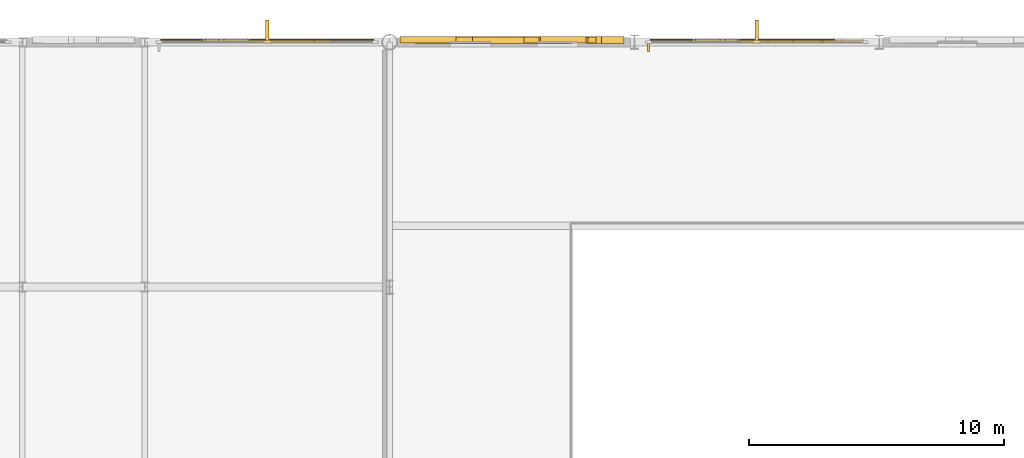
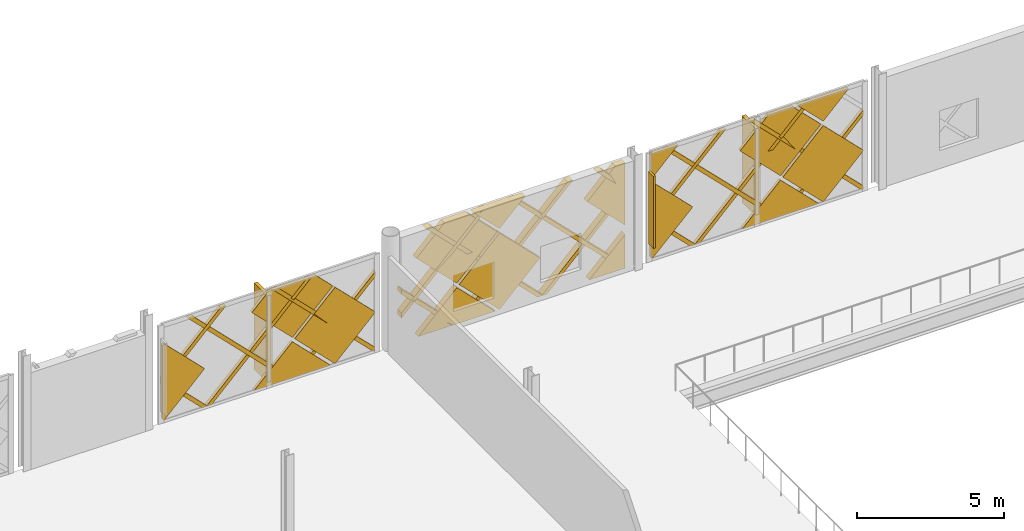
# One storey, part 69 of 77: 37 coverings, 1 shading device.
"""IFC4 building model written with IfcOpenShell, lengths in metres."""

from ifc_helpers import new_model, si_unit, direction, frame, origin, origin_2d, place, context, subcontext, project, spatial, polyline, rectangle, outline, extrude, material, layer, layer_set, type_object, element, save


model = new_model("IFC4")

# Units and contexts
model_context = context("Model", 3, precision=1e-05, world=origin(), true_north=direction((0.0, 1.0)))
body_context = subcontext(model_context, "Body", "Model", "MODEL_VIEW")
ifc_project = project(units=[si_unit("LENGTHUNIT", "METRE"), si_unit("AREAUNIT", "SQUARE_METRE"), si_unit("VOLUMEUNIT", "CUBIC_METRE"), si_unit("PLANEANGLEUNIT", "RADIAN"), si_unit("MASSUNIT", "GRAM", prefix="KILO")], contexts=[model_context])

# Site, building, storey
site_placement = place(None, origin())
site = spatial("IfcSite", under=ifc_project, at=site_placement, CompositionType="ELEMENT")
building_placement = place(site_placement, origin())
building = spatial("IfcBuilding", under=site, at=building_placement, Name="Zevrakil Square Congress Hotel", CompositionType="ELEMENT")
storey_placement = place(building_placement, frame((0.0, 0.0, 9.89990234375)))
storey = spatial("IfcBuildingStorey", under=building, at=storey_placement, Name="L03", CompositionType="ELEMENT", Elevation=9.89990234375)

# Coverings
ifc_material_1 = material(Name="Architectural White Fibre-C GRC", Category="concrete")
ifc_layer_1 = layer(ifc_material_1, 0.06494140625)
ifc_layer_set_1 = layer_set([ifc_layer_1], Name="Architectural White Fibre-C GRC")
covering_type_1 = type_object("IfcCoveringType", Name="COV-DIA-WHITE", PredefinedType="CLADDING", material=ifc_layer_set_1)
covering_1_placement = place(storey_placement, frame((113.719970703125, 112.89404296875, 1.590087890625), z_axis=(0.0, 0.999999790873, 0.000646725815), x_axis=(-0.707106707249, 0.000457304257, -0.707106707249)))
element("IfcCovering", 1, at=covering_1_placement, inside=storey, type_object=covering_type_1, Name="L03 45-degree white GRC diamond facade cassette 741", PredefinedType="CLADDING", context=body_context, shape_type="SweptSolid", body=[
    extrude(outline(polyline([(0.0, 0.0), (2.1354765131557993, 0.0), (4.465861884739297e-07, -2.1354765131557527), (0.0, 0.0)])), origin(), (0.0, 0.0, -1.0), 0.1201171875),
])
covering_2_placement = place(storey_placement, frame((115.39990234375, 112.89306640625, 3.27001953125), z_axis=(0.0, 0.999999812555, 0.000612281941), x_axis=(-0.707106714489, 0.000432948753, -0.707106715341)))
element("IfcCovering", 2, at=covering_2_placement, inside=storey, type_object=covering_type_1, Name="L03 45-degree white GRC diamond facade cassette 742", PredefinedType="CLADDING", context=body_context, shape_type="SweptSolid", body=[
    extrude(outline(polyline([(0.0, 0.0), (2.2483788053823686, 2.220446049250313e-16), (2.2485518630143098, -2.2485514388251864), (0.013983735657622232, -2.2485514362281265), (-0.00017220932723183147, -2.23439549391379), (0.0, 0.0)])), origin(), (0.0, 0.0, -1.0), 0.1201171875),
])
covering_3_placement = place(storey_placement, frame((108.679931640625, 112.89501953125, 0.090087890625), z_axis=(4.3911e-08, 0.999999810879, 0.000615014432), x_axis=(0.707106714509, -0.000434911966, 0.707106714116)))
element("IfcCovering", 3, at=covering_3_placement, inside=storey, type_object=covering_type_1, Name="L03 45-degree white GRC diamond facade cassette 743", PredefinedType="CLADDING", context=body_context, shape_type="SweptSolid", body=[
    extrude(outline(polyline([(0.0, 0.0), (2.2487240723345274, -2.220446049250313e-16), (2.248551862954323, -2.2485514388919943), (2.1639614601190895, -2.2485514548663854), (0.00017263345166069338, -0.0847630362800969), (0.0, 0.0)])), origin(), (0.0, 0.0, -1.0), 0.1201171875),
])
covering_4_placement = place(storey_placement, frame((112.1298828125, 112.89306640625, 3.360107421875), z_axis=(0.0, 0.999999833524, 0.000577020187), x_axis=(0.707106746075, 0.000408014907, -0.707106698581)))
element("IfcCovering", 4, at=covering_4_placement, inside=storey, type_object=covering_type_1, Name="L03 45-degree white GRC diamond facade cassette 744", PredefinedType="CLADDING", context=body_context, shape_type="SweptSolid", body=[
    extrude(outline(polyline([(0.0, 0.0), (2.2487239719466743, -2.220446049250313e-16), (2.248723748627534, -2.2487239719466636), (1.3365282562416159, -2.2487240499485552), (-1.6859136209301795e-07, -0.9121954923859064), (0.0, 0.0)])), origin(), (0.0, 0.0, -1.0), 0.1201171875),
])
covering_5_placement = place(storey_placement, frame((125.389892578125, 113.0, 0.080078125), z_axis=(0.0, 0.999999760125, 0.000692640526), x_axis=(1.0, 0.0, 0.0)))
element("IfcCovering", 5, at=covering_5_placement, inside=storey, type_object=covering_type_1, Name="L03 45-degree white GRC diamond facade cassette 764", PredefinedType="CLADDING", context=body_context, shape_type="SweptSolid", body=[
    extrude(outline(polyline([(0.0, 0.0), (1.41015625, 0.0), (1.41015625, -1.4099124475784226), (0.0, 0.0)])), origin(), (0.0, 0.0, -1.0), 0.239990234375),
])
covering_6_placement = place(storey_placement, frame((120.179931640625, 112.9990234375, 1.590087890625), z_axis=(0.0, 0.999999790873, 0.000646725815), x_axis=(-0.707106707249, 0.000457304257, -0.707106707249)))
element("IfcCovering", 6, at=covering_6_placement, inside=storey, type_object=covering_type_1, Name="L03 45-degree white GRC diamond facade cassette 765", PredefinedType="CLADDING", context=body_context, shape_type="SweptSolid", body=[
    extrude(outline(polyline([(0.0, 0.0), (2.1354765131557993, 0.0), (4.465861884739297e-07, -2.1354765131557527), (0.0, 0.0)])), origin(), (0.0, 0.0, -1.0), 0.239990234375),
])
covering_7_placement = place(storey_placement, frame((121.860107421875, 112.998046875, 3.27001953125), z_axis=(0.0, 0.999999811377, 0.000614203339), x_axis=(-0.707161000837, 0.000434274042, -0.707052424012)))
element("IfcCovering", 7, at=covering_7_placement, inside=storey, type_object=covering_type_1, Name="L03 45-degree white GRC diamond facade cassette 766", PredefinedType="CLADDING", context=body_context, shape_type="SweptSolid", body=[
    extrude(outline(polyline([(0.0, 0.0), (2.2485514454867683, 0.0), (2.2483792228863573, -2.248724065739994), (-0.0001721960923970478, -2.248378798790573), (0.0, 0.0)])), origin(), (0.0, 0.0, -1.0), 0.239990234375),
])
covering_8_placement = place(storey_placement, frame((125.31005859375, 112.998046875, 3.360107421875), z_axis=(6.6590382e-05, 0.999999832132, 0.000575587748), x_axis=(0.707106739346, 0.000359915524, -0.707106731429)))
element("IfcCovering", 8, at=covering_8_placement, inside=storey, type_object=covering_type_1, Name="L03 45-degree white GRC diamond facade cassette 767", PredefinedType="CLADDING", context=body_context, shape_type="SweptSolid", body=[
    extrude(outline(polyline([(0.0, 0.0), (2.1071645243864108, 4.440892098500626e-16), (0.2756954147132399, -1.8314688986077563), (-0.00017288838131890305, -1.5556005640896053), (0.0, 0.0)])), origin(), (0.0, 0.0, -1.0), 0.239990234375),
])
covering_9_placement = place(storey_placement, frame((118.590087890625, 112.998046875, 3.360107421875), z_axis=(0.0, 0.99999984427, 0.000558085713), x_axis=(0.707052454844, 0.000394656509, -0.707160993229)))
element("IfcCovering", 9, at=covering_9_placement, inside=storey, type_object=covering_type_1, Name="L03 45-degree white GRC diamond facade cassette 768", PredefinedType="CLADDING", context=body_context, shape_type="SweptSolid", body=[
    extrude(outline(polyline([(0.0, 0.0), (2.248551347367504, 0.0), (2.24837847274146, -2.2487239675782313), (0.692605284023527, -2.2486046114861047), (-0.00029231210577995714, -1.5556005419383874), (0.0, 0.0)])), origin(), (0.0, 0.0, -1.0), 0.239990234375),
])
covering_10_placement = place(storey_placement, frame((121.860107421875, 112.997802734375, 3.4501953125), z_axis=(0.0, 0.999999883142, 0.000483442051), x_axis=(0.707106739871, -0.000341845173, 0.707106739871)))
element("IfcCovering", 10, at=covering_10_placement, inside=storey, type_object=covering_type_1, Name="L03 45-degree white GRC diamond facade cassette 769", PredefinedType="CLADDING", context=body_context, shape_type="SweptSolid", body=[
    extrude(outline(polyline([(0.0, 0.0), (1.4283695921344428, 0.0), (1.6691658821788025e-07, -1.4283695921344328), (0.0, 0.0)])), origin(), (0.0, 0.0, -1.0), 0.239990234375),
])
covering_11_placement = place(storey_placement, frame((132.919921875, 112.89404296875, 1.590087890625), z_axis=(0.0, 0.999999790873, 0.000646725815), x_axis=(-0.707106707249, 0.000457304257, -0.707106707249)))
element("IfcCovering", 11, at=covering_11_placement, inside=storey, type_object=covering_type_1, Name="L03 45-degree white GRC diamond facade cassette 787", PredefinedType="CLADDING", context=body_context, shape_type="SweptSolid", body=[
    extrude(outline(polyline([(0.0, 0.0), (2.1354765131557993, 0.0), (4.465861884739297e-07, -2.1354765131557527), (0.0, 0.0)])), origin(), (0.0, 0.0, -1.0), 0.1201171875),
])
covering_12_placement = place(storey_placement, frame((134.60009765625, 112.89306640625, 3.27001953125), z_axis=(0.0, 0.999999812555, 0.000612282237), x_axis=(-0.707161000838, 0.000432915721, -0.707052424844)))
element("IfcCovering", 12, at=covering_12_placement, inside=storey, type_object=covering_type_1, Name="L03 45-degree white GRC diamond facade cassette 788", PredefinedType="CLADDING", context=body_context, shape_type="SweptSolid", body=[
    extrude(outline(polyline([(0.0, 0.0), (2.2485514454845923, 0.0), (2.248379222880032, -2.2487240657380214), (0.013983748838055643, -2.248379882955194), (-0.0001711092764935529, -2.234222853853795), (0.0, 0.0)])), origin(), (0.0, 0.0, -1.0), 0.1201171875),
])
covering_13_placement = place(storey_placement, frame((127.8798828125, 112.89501953125, 0.090087890625), z_axis=(4.3911e-08, 0.999999810879, 0.000615014432), x_axis=(0.707106714509, -0.000434911966, 0.707106714116)))
element("IfcCovering", 13, at=covering_13_placement, inside=storey, type_object=covering_type_1, Name="L03 45-degree white GRC diamond facade cassette 789", PredefinedType="CLADDING", context=body_context, shape_type="SweptSolid", body=[
    extrude(outline(polyline([(0.0, 0.0), (2.2487240723345274, -2.220446049250313e-16), (2.248551862954323, -2.2485514388919943), (2.1639614601190895, -2.2485514548663854), (0.00017263345166069338, -0.0847630362800969), (0.0, 0.0)])), origin(), (0.0, 0.0, -1.0), 0.1201171875),
])
covering_14_placement = place(storey_placement, frame((131.330078125, 112.89306640625, 3.360107421875), z_axis=(0.0, 0.99999984427, 0.000558085713), x_axis=(0.707052454844, 0.000394656509, -0.707160993229)))
element("IfcCovering", 14, at=covering_14_placement, inside=storey, type_object=covering_type_1, Name="L03 45-degree white GRC diamond facade cassette 790", PredefinedType="CLADDING", context=body_context, shape_type="SweptSolid", body=[
    extrude(outline(polyline([(0.0, 0.0), (2.248551347367504, 0.0), (2.24837847274146, -2.2487239675782313), (0.692605284023527, -2.2486046114861047), (-0.00029231210577995714, -1.5556005419383874), (0.0, 0.0)])), origin(), (0.0, 0.0, -1.0), 0.1201171875),
])
covering_15_placement = place(storey_placement, frame((134.60009765625, 112.892822265625, 3.4501953125), z_axis=(0.0, 0.999999883142, 0.000483442051), x_axis=(0.707106739871, -0.000341845173, 0.707106739871)))
element("IfcCovering", 15, at=covering_15_placement, inside=storey, type_object=covering_type_1, Name="L03 45-degree white GRC diamond facade cassette 791", PredefinedType="CLADDING", context=body_context, shape_type="SweptSolid", body=[
    extrude(outline(polyline([(0.0, 0.0), (1.4283695921344428, 0.0), (1.6691658821788025e-07, -1.4283695921344328), (0.0, 0.0)])), origin(), (0.0, 0.0, -1.0), 0.1201171875),
])
covering_16_placement = place(storey_placement, frame((127.8798828125, 112.892822265625, 3.4501953125), z_axis=(2.5678817e-05, 0.999999882076, 0.000484962793), x_axis=(0.707106739508, -0.000361078162, 0.707106730674)))
element("IfcCovering", 16, at=covering_16_placement, inside=storey, type_object=covering_type_1, Name="L03 45-degree white GRC diamond facade cassette 792", PredefinedType="CLADDING", context=body_context, shape_type="SweptSolid", body=[
    extrude(outline(polyline([(0.0, 0.0), (1.42836959187026, 0.0), (0.6718896767034009, -0.756480003845765), (-5.283652682042117e-10, -0.08459040637439186), (0.0, 0.0)])), origin(), (0.0, 0.0, -1.0), 0.1201171875),
])
ifc_material_2 = material(Name="Anodised Champagne Aluminium", Category="aluminium")
ifc_layer_2 = layer(ifc_material_2, 0.0849609375)
ifc_layer_set_2 = layer_set([ifc_layer_2], Name="Anodised Champagne Aluminium")
covering_type_2 = type_object("IfcCoveringType", Name="COV-DIAGRID-45", PredefinedType="MOLDING", material=ifc_layer_set_2)
covering_17_placement = place(storey_placement, frame((116.893798828125, 112.919921875, 0.080078125), z_axis=(-0.000186705842, 0.999999885196, 0.000441304718), x_axis=(0.99999998257, 0.000186705824, 8.2394e-08)))
element("IfcCovering", 17, at=covering_17_placement, inside=storey, type_object=covering_type_2, Name="L03 45-degree aluminium diagrid rib 745", PredefinedType="MOLDING", context=body_context, shape_type="SweptSolid", body=[
    extrude(outline(polyline([(0.0, 0.0), (0.086181639122894, -2.2812090330563966e-24), (0.08618164952274412, -0.12622069083426724), (-3.7126465520889185, -3.92504952332774), (-3.9248047515160995, -3.92504952332774), (0.0, 0.0)])), origin(), (0.0, 0.0, -1.0), 0.14501953125),
])
covering_18_placement = place(storey_placement, frame((113.533935546875, 112.919921875, 0.080078125), z_axis=(0.0, 0.999999806554, 0.000622006473), x_axis=(1.0, 0.0, 0.0)))
element("IfcCovering", 18, at=covering_18_placement, inside=storey, type_object=covering_type_2, Name="L03 45-degree aluminium diagrid rib 746", PredefinedType="MOLDING", context=body_context, shape_type="SweptSolid", body=[
    extrude(outline(polyline([(0.0, 0.0), (0.212158203125, 0.0), (-3.712890625, -3.9250495874103186), (-3.925048828125, -3.9250495874103186), (0.0, 0.0)])), origin(), (0.0, 0.0, -1.0), 0.14501953125),
])
covering_19_placement = place(storey_placement, frame((110.173828125, 112.919921875, 0.080078125), z_axis=(-0.000294160881, 0.999999913469, 0.000294160881), x_axis=(0.999999956735, 0.000294160868, 8.6531e-08)))
element("IfcCovering", 19, at=covering_19_placement, inside=storey, type_object=covering_type_2, Name="L03 45-degree aluminium diagrid rib 747", PredefinedType="MOLDING", context=body_context, shape_type="SweptSolid", body=[
    extrude(outline(polyline([(0.0, 0.0), (0.21215819394590898, 2.8078904387053947e-24), (-1.5537110047217924, -1.7661134921050472), (-1.5537110230799749, -1.5539552981591391), (0.0, 0.0)])), origin(), (0.0, 0.0, -1.0), 0.14501953125),
])
covering_20_placement = place(storey_placement, frame((116.97998046875, 112.918212890625, 3.154052734375), z_axis=(-0.000287477056, 0.99999958606, 0.000863270454), x_axis=(-8.2643e-08, -0.000863270513, 0.999999627382)))
element("IfcCovering", 20, at=covering_20_placement, inside=storey, type_object=covering_type_2, Name="L03 45-degree aluminium diagrid rib 748", PredefinedType="MOLDING", context=body_context, shape_type="SweptSolid", body=[
    extrude(outline(polyline([(0.0, 0.0), (0.21215833483042407, 1.3234889800848443e-23), (-3.0739746676964605, -3.286133202330571), (-3.073974685229852, -3.0739750079722734), (0.0, 0.0)])), origin(), (0.0, 0.0, -1.0), 0.14501953125),
])
covering_21_placement = place(storey_placement, frame((114.47119140625, 112.91748046875, 4.005126953125), z_axis=(0.0, 0.999999806554, 0.000622006473), x_axis=(-1.0, 0.0, 0.0)))
element("IfcCovering", 21, at=covering_21_placement, inside=storey, type_object=covering_type_2, Name="L03 45-degree aluminium diagrid rib 749", PredefinedType="MOLDING", context=body_context, shape_type="SweptSolid", body=[
    extrude(outline(polyline([(0.0, 0.0), (0.21240234375, 0.0), (4.13720703125, -3.9250495874103186), (3.925048828125, -3.9250495874103186), (0.0, 0.0)])), origin(), (0.0, 0.0, -1.0), 0.14501953125),
])
covering_22_placement = place(storey_placement, frame((111.111083984375, 112.91748046875, 4.005126953125), z_axis=(-0.00024217289, 0.99999955887, 0.00090753025), x_axis=(-0.999999970676, -0.00024217279, -2.19779e-07)))
element("IfcCovering", 22, at=covering_22_placement, inside=storey, type_object=covering_type_2, Name="L03 45-degree aluminium diagrid rib 750", PredefinedType="MOLDING", context=body_context, shape_type="SweptSolid", body=[
    extrude(outline(polyline([(0.0, 0.0), (0.21215819690370366, -5.6157808774107894e-24), (2.490966869919751, -2.2788089847137165), (2.490966857477158, -2.4912114625602326), (0.0, 0.0)])), origin(), (0.0, 0.0, -1.0), 0.14501953125),
])
covering_23_placement = place(storey_placement, frame((126.800048828125, 113.02294921875, 3.35400390625), z_axis=(-0.00036616619, 0.999999865922, 0.00036616619), x_axis=(1.34078e-07, -0.000366166166, 0.999999932961)))
element("IfcCovering", 23, at=covering_23_placement, inside=storey, type_object=covering_type_2, Name="L03 45-degree aluminium diagrid rib 770", PredefinedType="MOLDING", context=body_context, shape_type="SweptSolid", body=[
    extrude(outline(polyline([(0.0, 0.0), (0.21215818890215982, 5.6157808774107894e-24), (1.1062012460334505, -0.8940431770025326), (1.1062012175877691, -1.1062013659046903), (0.0, 0.0)])), origin(), (0.0, 0.0, -1.0), 0.264892578125),
])
covering_24_placement = place(storey_placement, frame((126.7138671875, 113.02490234375, 0.080078125), z_axis=(-0.000183854233, 0.999999888676, 0.000434564551), x_axis=(0.999999983099, 0.000183854216, 7.9897e-08)))
element("IfcCovering", 24, at=covering_24_placement, inside=storey, type_object=covering_type_2, Name="L03 45-degree aluminium diagrid rib 771", PredefinedType="MOLDING", context=body_context, shape_type="SweptSolid", body=[
    extrude(outline(polyline([(0.0, 0.0), (0.08618163916842775, 0.0), (0.08618164925302442, -0.12622069120683954), (-4.16772468272765, -4.380127706582967), (-4.379882882266924, -4.380127706582967), (0.0, 0.0)])), origin(), (0.0, 0.0, -1.0), 0.264892578125),
])
covering_25_placement = place(storey_placement, frame((123.35400390625, 113.02490234375, 0.080078125), z_axis=(0.0, 0.999999812042, 0.00061312067), x_axis=(1.0, 0.0, 0.0)))
element("IfcCovering", 25, at=covering_25_placement, inside=storey, type_object=covering_type_2, Name="L03 45-degree aluminium diagrid rib 772", PredefinedType="MOLDING", context=body_context, shape_type="SweptSolid", body=[
    extrude(outline(polyline([(0.0, 0.0), (0.212158203125, 0.0), (-4.16796875, -4.380127776407226), (-4.380126953125, -4.380127776407226), (0.0, 0.0)])), origin(), (0.0, 0.0, -1.0), 0.264892578125),
])
covering_26_placement = place(storey_placement, frame((119.993896484375, 113.02490234375, 0.080078125), z_axis=(-0.000290646956, 0.999999915524, 0.000290646956), x_axis=(0.999999957762, 0.000290646943, 8.4476e-08)))
element("IfcCovering", 26, at=covering_26_placement, inside=storey, type_object=covering_type_2, Name="L03 45-degree aluminium diagrid rib 773", PredefinedType="MOLDING", context=body_context, shape_type="SweptSolid", body=[
    extrude(outline(polyline([(0.0, 0.0), (0.21215819416389847, -2.8078904387053947e-24), (-1.9938965685928591, -2.2060549491146975), (-1.9938965865150626, -1.9938967549507998), (0.0, 0.0)])), origin(), (0.0, 0.0, -1.0), 0.264892578125),
])
covering_27_placement = place(storey_placement, frame((126.800048828125, 113.023193359375, 3.154052734375), z_axis=(-0.000287477056, 0.99999958606, 0.000863270454), x_axis=(-8.2643e-08, -0.000863270513, 0.999999627382)))
element("IfcCovering", 27, at=covering_27_placement, inside=storey, type_object=covering_type_2, Name="L03 45-degree aluminium diagrid rib 774", PredefinedType="MOLDING", context=body_context, shape_type="SweptSolid", body=[
    extrude(outline(polyline([(0.0, 0.0), (0.21215833483042407, 1.3234889800848443e-23), (-3.0739746676964605, -3.286133202330571), (-3.073974685229852, -3.0739750079722734), (0.0, 0.0)])), origin(), (0.0, 0.0, -1.0), 0.264892578125),
])
covering_28_placement = place(storey_placement, frame((124.74609375, 113.022216796875, 4.460205078125), z_axis=(0.0, 0.999999812042, 0.00061312067), x_axis=(-1.0, 0.0, 0.0)))
element("IfcCovering", 28, at=covering_28_placement, inside=storey, type_object=covering_type_2, Name="L03 45-degree aluminium diagrid rib 775", PredefinedType="MOLDING", context=body_context, shape_type="SweptSolid", body=[
    extrude(outline(polyline([(0.0, 0.0), (0.212158203125, 0.0), (4.59228515625, -4.380127776407226), (4.3798828125, -4.380127776407226), (0.0, 0.0)])), origin(), (0.0, 0.0, -1.0), 0.264892578125),
])
covering_29_placement = place(storey_placement, frame((121.385986328125, 113.022216796875, 4.460205078125), z_axis=(-0.000259057371, 0.999999568889, 0.000891690119), x_axis=(-0.999999966445, -0.000259057268, -2.30999e-07)))
element("IfcCovering", 29, at=covering_29_placement, inside=storey, type_object=covering_type_2, Name="L03 45-degree aluminium diagrid rib 776", PredefinedType="MOLDING", context=body_context, shape_type="SweptSolid", body=[
    extrude(outline(polyline([(0.0, 0.0), (0.2121581960059548, -5.6157808774107894e-24), (3.3859864417429986, -3.1740727453366744), (3.385986427504908, -3.386231081814753), (0.0, 0.0)])), origin(), (0.0, 0.0, -1.0), 0.264892578125),
])
covering_30_placement = place(storey_placement, frame((136.093994140625, 112.919921875, 0.080078125), z_axis=(-0.000183960933, 0.999999888701, 0.000434460926), x_axis=(0.999999983079, 0.000183960915, 7.9924e-08)))
element("IfcCovering", 30, at=covering_30_placement, inside=storey, type_object=covering_type_2, Name="L03 45-degree aluminium diagrid rib 794", PredefinedType="MOLDING", context=body_context, shape_type="SweptSolid", body=[
    extrude(outline(polyline([(0.0, 0.0), (0.08593749854586766, 1.137373342260413e-24), (0.08593750863391077, -0.12622069121252277), (-4.167968823433683, -4.380127706501899), (-4.380127022968794, -4.380127706501899), (0.0, 0.0)])), origin(), (0.0, 0.0, -1.0), 0.14501953125),
])
covering_31_placement = place(storey_placement, frame((132.73388671875, 112.919921875, 0.080078125), z_axis=(0.0, 0.999999812042, 0.00061312067), x_axis=(1.0, 0.0, 0.0)))
element("IfcCovering", 31, at=covering_31_placement, inside=storey, type_object=covering_type_2, Name="L03 45-degree aluminium diagrid rib 795", PredefinedType="MOLDING", context=body_context, shape_type="SweptSolid", body=[
    extrude(outline(polyline([(0.0, 0.0), (0.212158203125, 0.0), (-4.167724609375, -4.380127776407226), (-4.3798828125, -4.380127776407226), (0.0, 0.0)])), origin(), (0.0, 0.0, -1.0), 0.14501953125),
])
covering_32_placement = place(storey_placement, frame((129.373779296875, 112.919921875, 0.080078125), z_axis=(-0.000293980909, 0.999999913476, 0.000294319207), x_axis=(0.999999956788, 0.000293980897, 8.6524e-08)))
element("IfcCovering", 32, at=covering_32_placement, inside=storey, type_object=covering_type_2, Name="L03 45-degree aluminium diagrid rib 796", PredefinedType="MOLDING", context=body_context, shape_type="SweptSolid", body=[
    extrude(outline(polyline([(0.0, 0.0), (0.21240233457158741, 0.0), (-1.5537110046395635, -1.7661134921773871), (-1.553711022996389, -1.5539552982413625), (0.0, 0.0)])), origin(), (0.0, 0.0, -1.0), 0.14501953125),
])
covering_33_placement = place(storey_placement, frame((136.179931640625, 112.918212890625, 3.154052734375), z_axis=(-0.000287317256, 0.999999586254, 0.000863099624), x_axis=(-8.2646e-08, -0.000863099684, 0.999999627529)))
element("IfcCovering", 33, at=covering_33_placement, inside=storey, type_object=covering_type_2, Name="L03 45-degree aluminium diagrid rib 797", PredefinedType="MOLDING", context=body_context, shape_type="SweptSolid", body=[
    extrude(outline(polyline([(0.0, 0.0), (0.212158334820002, 0.0), (-3.0739746678474664, -3.286133202189314), (-3.0739746854017027, -3.07373086720635), (0.0, 0.0)])), origin(), (0.0, 0.0, -1.0), 0.14501953125),
])
covering_34_placement = place(storey_placement, frame((134.126220703125, 112.917236328125, 4.460205078125), z_axis=(0.0, 0.999999812042, 0.00061312067), x_axis=(-1.0, 0.0, 0.0)))
element("IfcCovering", 34, at=covering_34_placement, inside=storey, type_object=covering_type_2, Name="L03 45-degree aluminium diagrid rib 798", PredefinedType="MOLDING", context=body_context, shape_type="SweptSolid", body=[
    extrude(outline(polyline([(0.0, 0.0), (0.21240234375, 0.0), (4.59228515625, -4.380127776407226), (4.380126953125, -4.380127776407226), (0.0, 0.0)])), origin(), (0.0, 0.0, -1.0), 0.14501953125),
])
covering_35_placement = place(storey_placement, frame((130.76611328125, 112.917236328125, 4.460205078125), z_axis=(-0.000252504271, 0.999999565627, 0.000897210752), x_axis=(-0.999999968121, -0.000252504169, -2.2655e-07)))
element("IfcCovering", 35, at=covering_35_placement, inside=storey, type_object=covering_type_2, Name="L03 45-degree aluminium diagrid rib 799", PredefinedType="MOLDING", context=body_context, shape_type="SweptSolid", body=[
    extrude(outline(polyline([(0.0, 0.0), (0.21215819636156538, -5.6157808774107894e-24), (2.94604501579257, -2.7338871516970973), (2.9460450022657008, -2.946289629002098), (0.0, 0.0)])), origin(), (0.0, 0.0, -1.0), 0.14501953125),
])
ifc_material_3 = material(Name="Architectural White Fibre-C GRC", Category="concrete")
ifc_layer_3 = layer(ifc_material_3, 0.139892578125)
ifc_layer_set_3 = layer_set([ifc_layer_3], Name="Architectural White Fibre-C GRC")
covering_type_3 = type_object("IfcCoveringType", Name="COV-FIN-GRC90", PredefinedType="MOLDING", material=ifc_layer_set_3)
for number, where, z_axis, x_axis, name in (
    (36, (112.800048828125, 113.219970703125, 0.242431640625), (0.0, 0.0, 1.0), (0.0, 1.0, 0.0), "L03 highland sun-breaker GRC fin 751"),
    (37, (132.0, 113.219970703125, 0.469970703125), (0.0, 0.0, 1.0), (0.0, 1.0, 0.0), "L03 highland sun-breaker GRC fin 800"),
):
    element("IfcCovering", number, at=place(storey_placement, frame(where, z_axis=z_axis, x_axis=x_axis)), inside=storey, type_object=covering_type_3, Name=name, PredefinedType="MOLDING", context=body_context, shape_type="SweptSolid", body=[
        extrude(rectangle(XDim=0.89990234375, YDim=0.139892578125, at=origin_2d()), origin(), (0.0, 0.0, 1.0), 3.60009765625),
    ])

# Shading device
ifc_material_4 = material(Name="Aluminium Anodised Bronze", Category="aluminium")
shading_device_type = type_object("IfcShadingDeviceType", Name="SHD-FIN-35", PredefinedType="JALOUSIE", material=ifc_material_4)
shading_device_placement = place(storey_placement, frame((127.760009765625, 112.60498046875, 0.77001953125), z_axis=(0.0, 0.0, 1.0), x_axis=(0.0, -1.0, 0.0)))
element("IfcShadingDevice", 38, at=shading_device_placement, inside=storey, type_object=shading_device_type, Name="L03 aluminium solar shading fin 46", PredefinedType="JALOUSIE", context=body_context, shape_type="SweptSolid", body=[
    extrude(rectangle(XDim=0.35009765625, YDim=0.080078125, at=origin_2d()), origin(), (0.0, 0.0, 1.0), 3.0),
])

save(model, "model.ifc")
